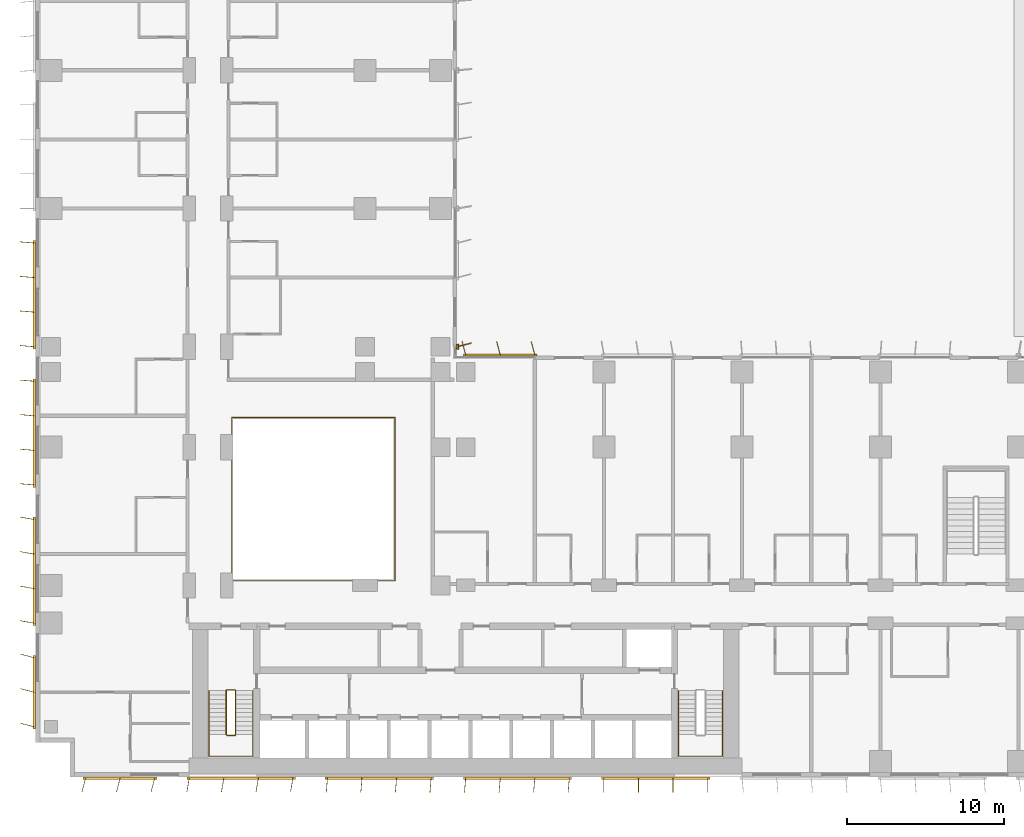
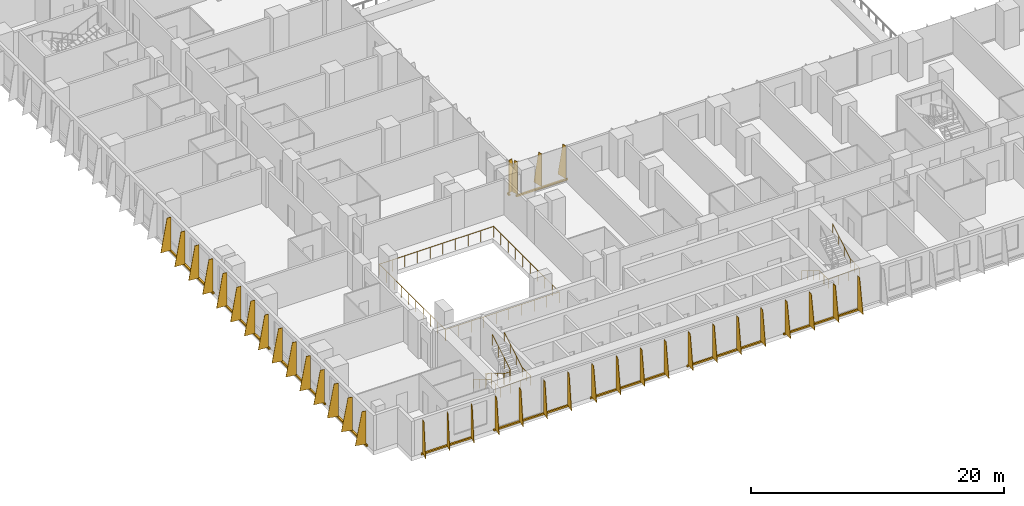
# One storey, part 19 of 23: 11 shading devices, 4 railings.
"""IFC4 building model written with IfcOpenShell, lengths in metres."""

from ifc_helpers import new_model, si_unit, direction, frame, origin, origin_2d, place, context, subcontext, project, spatial, polyline, rectangle, circle, outline, extrude, source, transform, mapped, material, layer, layer_set, type_object, element, save


model = new_model("IFC4")

# Units and contexts
model_context = context("Model", 3, precision=1e-05, world=origin(), true_north=direction((0.0, 1.0)))
body_context = subcontext(model_context, "Body", "Model", "MODEL_VIEW")
ifc_project = project(units=[si_unit("LENGTHUNIT", "METRE"), si_unit("AREAUNIT", "SQUARE_METRE"), si_unit("VOLUMEUNIT", "CUBIC_METRE"), si_unit("PLANEANGLEUNIT", "RADIAN"), si_unit("MASSUNIT", "GRAM", prefix="KILO")], contexts=[model_context])

# Site, building, storey
site_placement = place(None, origin())
site = spatial("IfcSite", under=ifc_project, at=site_placement, CompositionType="ELEMENT")
building_placement = place(site_placement, origin())
building = spatial("IfcBuilding", under=site, at=building_placement, Name="Kemantara Hotel Tower", CompositionType="ELEMENT")
storey_placement = place(building_placement, frame((0.0, 0.0, 34.0)))
storey = spatial("IfcBuildingStorey", under=building, at=storey_placement, Name="L06", CompositionType="ELEMENT", Elevation=34.0)

# Railings
ifc_material_1 = material(Name="Stainless steel and laminated glass balustrade", Category="steel")
railing_type_1 = type_object("IfcRailingType", Name="ATRIUM GUARD 1100", PredefinedType="GUARDRAIL", material=ifc_material_1)
railing_1_placement = place(storey_placement, frame((12.56005859375, 12.5, 0.0)))
element("IfcRailing", 1, at=railing_1_placement, inside=storey, type_object=railing_type_1, Name="ATRIUM GUARD L06", PredefinedType="GUARDRAIL", context=body_context, shape_type="SweptSolid", body=[
    extrude(circle(Radius=0.02490234375, at=origin_2d()), frame((0.0, 0.0, 1.0751953125), z_axis=(1.0, 0.0, 0.0), x_axis=(0.0, 1.0, 0.0)), (0.0, 0.0, 1.0), 10.33984375),
    extrude(circle(Radius=0.02490234375, at=origin_2d()), frame((10.33984375, 0.0, 1.0751953125), z_axis=(0.0, 1.0, 0.0), x_axis=(-1.0, 0.0, 0.0)), (0.0, 0.0, 1.0), 10.39990234375),
    extrude(circle(Radius=0.02490234375, at=origin_2d()), frame((10.33984375, 10.39990234375, 1.0751953125), z_axis=(-1.0, 0.0, 0.0), x_axis=(0.0, -1.0, 0.0)), (0.0, 0.0, 1.0), 10.39990234375),
    extrude(circle(Radius=0.02490234375, at=origin_2d()), frame((-0.06005859375, 10.39990234375, 1.0751953125), z_axis=(0.0, -1.0, 0.0), x_axis=(1.0, 0.0, 0.0)), (0.0, 0.0, 1.0), 10.39990234375),
    extrude(circle(Radius=0.02001953125, at=origin_2d()), origin(), (0.0, 0.0, 1.0), 1.050048828125),
    extrude(circle(Radius=0.02001953125, at=origin_2d()), frame((1.14892578125, 0.0, 0.0)), (0.0, 0.0, 1.0), 1.050048828125),
    extrude(circle(Radius=0.02001953125, at=origin_2d()), frame((2.2978515625, 0.0, 0.0)), (0.0, 0.0, 1.0), 1.050048828125),
    extrude(circle(Radius=0.02001953125, at=origin_2d()), frame((3.446533203125, 0.0, 0.0)), (0.0, 0.0, 1.0), 1.050048828125),
    extrude(circle(Radius=0.02001953125, at=origin_2d()), frame((4.595458984375, 0.0, 0.0)), (0.0, 0.0, 1.0), 1.050048828125),
    extrude(circle(Radius=0.02001953125, at=origin_2d()), frame((5.744384765625, 0.0, 0.0)), (0.0, 0.0, 1.0), 1.050048828125),
    extrude(circle(Radius=0.02001953125, at=origin_2d()), frame((6.893310546875, 0.0, 0.0)), (0.0, 0.0, 1.0), 1.050048828125),
    extrude(circle(Radius=0.02001953125, at=origin_2d()), frame((8.0419921875, 0.0, 0.0)), (0.0, 0.0, 1.0), 1.050048828125),
    extrude(circle(Radius=0.02001953125, at=origin_2d()), frame((9.19091796875, 0.0, 0.0)), (0.0, 0.0, 1.0), 1.050048828125),
    extrude(circle(Radius=0.02001953125, at=origin_2d()), frame((10.33984375, 0.0, 0.0)), (0.0, 0.0, 1.0), 1.050048828125),
    extrude(circle(Radius=0.02001953125, at=origin_2d()), frame((10.33984375, 1.155517578125, 0.0)), (0.0, 0.0, 1.0), 1.050048828125),
    extrude(circle(Radius=0.02001953125, at=origin_2d()), frame((10.33984375, 2.31103515625, 0.0)), (0.0, 0.0, 1.0), 1.050048828125),
    extrude(circle(Radius=0.02001953125, at=origin_2d()), frame((10.33984375, 3.466552734375, 0.0)), (0.0, 0.0, 1.0), 1.050048828125),
    extrude(circle(Radius=0.02001953125, at=origin_2d()), frame((10.33984375, 4.6220703125, 0.0)), (0.0, 0.0, 1.0), 1.050048828125),
    extrude(circle(Radius=0.02001953125, at=origin_2d()), frame((10.33984375, 5.77783203125, 0.0)), (0.0, 0.0, 1.0), 1.050048828125),
    extrude(circle(Radius=0.02001953125, at=origin_2d()), frame((10.33984375, 6.933349609375, 0.0)), (0.0, 0.0, 1.0), 1.050048828125),
    extrude(circle(Radius=0.02001953125, at=origin_2d()), frame((10.33984375, 8.0888671875, 0.0)), (0.0, 0.0, 1.0), 1.050048828125),
    extrude(circle(Radius=0.02001953125, at=origin_2d()), frame((10.33984375, 9.244384765625, 0.0)), (0.0, 0.0, 1.0), 1.050048828125),
    extrude(circle(Radius=0.02001953125, at=origin_2d()), frame((10.33984375, 10.39990234375, 0.0)), (0.0, 0.0, 1.0), 1.050048828125),
    extrude(circle(Radius=0.02001953125, at=origin_2d()), frame((9.184326171875, 10.39990234375, 0.0)), (0.0, 0.0, 1.0), 1.050048828125),
    extrude(circle(Radius=0.02001953125, at=origin_2d()), frame((8.02880859375, 10.39990234375, 0.0)), (0.0, 0.0, 1.0), 1.050048828125),
    extrude(circle(Radius=0.02001953125, at=origin_2d()), frame((6.873291015625, 10.39990234375, 0.0)), (0.0, 0.0, 1.0), 1.050048828125),
    extrude(circle(Radius=0.02001953125, at=origin_2d()), frame((5.7177734375, 10.39990234375, 0.0)), (0.0, 0.0, 1.0), 1.050048828125),
    extrude(circle(Radius=0.02001953125, at=origin_2d()), frame((4.56201171875, 10.39990234375, 0.0)), (0.0, 0.0, 1.0), 1.050048828125),
    extrude(circle(Radius=0.02001953125, at=origin_2d()), frame((3.406494140625, 10.39990234375, 0.0)), (0.0, 0.0, 1.0), 1.050048828125),
    extrude(circle(Radius=0.02001953125, at=origin_2d()), frame((2.2509765625, 10.39990234375, 0.0)), (0.0, 0.0, 1.0), 1.050048828125),
    extrude(circle(Radius=0.02001953125, at=origin_2d()), frame((1.095458984375, 10.39990234375, 0.0)), (0.0, 0.0, 1.0), 1.050048828125),
    extrude(circle(Radius=0.02001953125, at=origin_2d()), frame((-0.06005859375, 10.39990234375, 0.0)), (0.0, 0.0, 1.0), 1.050048828125),
    extrude(circle(Radius=0.02001953125, at=origin_2d()), frame((-0.06005859375, 9.244384765625, 0.0)), (0.0, 0.0, 1.0), 1.050048828125),
    extrude(circle(Radius=0.02001953125, at=origin_2d()), frame((-0.06005859375, 8.0888671875, 0.0)), (0.0, 0.0, 1.0), 1.050048828125),
    extrude(circle(Radius=0.02001953125, at=origin_2d()), frame((-0.06005859375, 6.933349609375, 0.0)), (0.0, 0.0, 1.0), 1.050048828125),
    extrude(circle(Radius=0.02001953125, at=origin_2d()), frame((-0.06005859375, 5.77783203125, 0.0)), (0.0, 0.0, 1.0), 1.050048828125),
    extrude(circle(Radius=0.02001953125, at=origin_2d()), frame((-0.06005859375, 4.6220703125, 0.0)), (0.0, 0.0, 1.0), 1.050048828125),
    extrude(circle(Radius=0.02001953125, at=origin_2d()), frame((-0.06005859375, 3.466552734375, 0.0)), (0.0, 0.0, 1.0), 1.050048828125),
    extrude(circle(Radius=0.02001953125, at=origin_2d()), frame((-0.06005859375, 2.31103515625, 0.0)), (0.0, 0.0, 1.0), 1.050048828125),
    extrude(circle(Radius=0.02001953125, at=origin_2d()), frame((-0.06005859375, 1.155517578125, 0.0)), (0.0, 0.0, 1.0), 1.050048828125),
    extrude(circle(Radius=0.02001953125, at=origin_2d()), frame((-0.06005859375, 0.0, 0.0)), (0.0, 0.0, 1.0), 1.050048828125),
])
ifc_material_2 = material(Name="Stainless steel balustrade", Category="steel")
railing_type_2 = type_object("IfcRailingType", Name="Stair guard 1100 mm", PredefinedType="GUARDRAIL", material=ifc_material_2)
railing_2_placement = place(storey_placement, frame((12.75, 5.5, 3.699951171875)))
element("IfcRailing", 2, at=railing_2_placement, inside=storey, type_object=railing_type_2, Name="L06 ST1 stair guard 1", PredefinedType="GUARDRAIL", context=body_context, shape_type="SweptSolid", body=[
    extrude(circle(Radius=0.02392578125, at=origin_2d()), frame((0.0, 0.0, 1.076171875), z_axis=(0.0, -0.857242210791, -0.514913383045), x_axis=(1.0, 0.0, 0.0)), (0.0, 0.0, 1.0), 3.266357421875),
    extrude(circle(Radius=0.02392578125, at=origin_2d()), frame((0.0, -2.800048828125, -0.60595703125), z_axis=(-0.274582412415, -0.274582412415, -0.921525364591), x_axis=(0.707106781187, -0.707106781187, 0.0)), (0.0, 0.0, 1.0), 0.182373046875),
    extrude(circle(Radius=0.02392578125, at=origin_2d()), frame((-0.050048828125, -2.85009765625, -0.77392578125), z_axis=(-1.0, 0.0, 0.0), x_axis=(0.0, -1.0, 0.0)), (0.0, 0.0, 1.0), 0.5),
    extrude(circle(Radius=0.02392578125, at=origin_2d()), frame((-0.550048828125, -2.85009765625, -0.77392578125), z_axis=(-0.707106781187, 0.707106781187, 0.0), x_axis=(-0.707106781187, -0.707106781187, 0.0)), (0.0, 0.0, 1.0), 0.07080078125),
    extrude(circle(Radius=0.02392578125, at=origin_2d()), frame((-0.60009765625, -2.800048828125, -0.77392578125), z_axis=(0.0, 0.857242210791, -0.514913383045), x_axis=(-1.0, 0.0, 0.0)), (0.0, 0.0, 1.0), 3.266357421875),
    extrude(circle(Radius=0.02392578125, at=origin_2d()), frame((-0.60009765625, 0.0, -2.45556640625), z_axis=(0.274243871929, 0.274243871929, -0.92172696468), x_axis=(-0.707106781187, 0.707106781187, 0.0)), (0.0, 0.0, 1.0), 0.1826171875),
    extrude(circle(Radius=0.02392578125, at=origin_2d()), frame((-0.550048828125, 0.050048828125, -2.6240234375), z_axis=(1.0, 0.0, 0.0), x_axis=(0.0, 1.0, 0.0)), (0.0, 0.0, 1.0), 0.5),
    extrude(circle(Radius=0.02099609375, at=origin_2d()), origin(), (0.0, 0.0, 1.0), 1.052001953125),
    extrude(circle(Radius=0.02099609375, at=origin_2d()), frame((0.0, -0.933349609375, -0.560546875)), (0.0, 0.0, 1.0), 1.052001953125),
    extrude(circle(Radius=0.02099609375, at=origin_2d()), frame((0.0, -1.86669921875, -1.121337890625)), (0.0, 0.0, 1.0), 1.052001953125),
    extrude(circle(Radius=0.02099609375, at=origin_2d()), frame((0.0, -2.800048828125, -1.681884765625)), (0.0, 0.0, 1.0), 1.052001953125),
    extrude(circle(Radius=0.02099609375, at=origin_2d()), frame((-0.050048828125, -2.85009765625, -1.849853515625)), (0.0, 0.0, 1.0), 1.052001953125),
    extrude(circle(Radius=0.02099609375, at=origin_2d()), frame((-0.550048828125, -2.85009765625, -1.849853515625)), (0.0, 0.0, 1.0), 1.052001953125),
    extrude(circle(Radius=0.02099609375, at=origin_2d()), frame((-0.60009765625, -2.800048828125, -1.849853515625)), (0.0, 0.0, 1.0), 1.052001953125),
    extrude(circle(Radius=0.02099609375, at=origin_2d()), frame((-0.60009765625, -1.86669921875, -2.410400390625)), (0.0, 0.0, 1.0), 1.052001953125),
    extrude(circle(Radius=0.02099609375, at=origin_2d()), frame((-0.60009765625, -0.933349609375, -2.97119140625)), (0.0, 0.0, 1.0), 1.052001953125),
    extrude(circle(Radius=0.02099609375, at=origin_2d()), frame((-0.60009765625, 0.0, -3.53173828125)), (0.0, 0.0, 1.0), 1.052001953125),
    extrude(circle(Radius=0.02099609375, at=origin_2d()), frame((-0.550048828125, 0.050048828125, -3.699951171875)), (0.0, 0.0, 1.0), 1.052001953125),
    extrude(circle(Radius=0.02099609375, at=origin_2d()), frame((-0.050048828125, 0.050048828125, -3.699951171875)), (0.0, 0.0, 1.0), 1.052001953125),
])
railing_type_3 = type_object("IfcRailingType", Name="Stair handrail 900 mm", PredefinedType="HANDRAIL", material=ifc_material_2)
railing_3_placement = place(storey_placement, frame((11.050048828125, 5.5, 0.168212890625)))
element("IfcRailing", 3, at=railing_3_placement, inside=storey, type_object=railing_type_3, Name="L06 ST1 stair handrail 1", PredefinedType="HANDRAIL", context=body_context, shape_type="SweptSolid", body=[
    extrude(circle(Radius=0.02392578125, at=origin_2d()), frame((0.0, 0.0, 0.8759765625), z_axis=(0.0, -0.857242210791, 0.514913383045), x_axis=(1.0, 0.0, 0.0)), (0.0, 0.0, 1.0), 3.266357421875),
    extrude(circle(Radius=0.02392578125, at=origin_2d()), frame((0.0, -2.800048828125, 2.5576171875), z_axis=(0.0, -1.0, 0.0), x_axis=(1.0, 0.0, 0.0)), (0.0, 0.0, 1.0), 1.3798828125),
    extrude(circle(Radius=0.02392578125, at=origin_2d()), frame((0.0, -4.179931640625, 2.5576171875), z_axis=(0.998205573864, 0.0, 0.059880149518), x_axis=(0.0, 1.0, 0.0)), (0.0, 0.0, 1.0), 2.80517578125),
    extrude(circle(Radius=0.02392578125, at=origin_2d()), frame((2.800048828125, -4.179931640625, 2.7255859375), z_axis=(0.0, 1.0, 0.0), x_axis=(-1.0, 0.0, 0.0)), (0.0, 0.0, 1.0), 1.3798828125),
    extrude(circle(Radius=0.02392578125, at=origin_2d()), frame((2.800048828125, -2.800048828125, 2.7255859375), z_axis=(0.0, 0.857242210791, 0.514913383045), x_axis=(-1.0, 0.0, 0.0)), (0.0, 0.0, 1.0), 3.266357421875),
    extrude(circle(Radius=0.02099609375, at=origin_2d()), origin(), (0.0, 0.0, 1.0), 0.851806640625),
    extrude(circle(Radius=0.02099609375, at=origin_2d()), frame((0.0, -0.933349609375, 0.560546875)), (0.0, 0.0, 1.0), 0.851806640625),
    extrude(circle(Radius=0.02099609375, at=origin_2d()), frame((0.0, -1.86669921875, 1.121337890625)), (0.0, 0.0, 1.0), 0.851806640625),
    extrude(circle(Radius=0.02099609375, at=origin_2d()), frame((0.0, -2.800048828125, 1.681884765625)), (0.0, 0.0, 1.0), 0.851806640625),
    extrude(circle(Radius=0.02099609375, at=origin_2d()), frame((0.0, -3.489990234375, 1.681884765625)), (0.0, 0.0, 1.0), 0.851806640625),
    extrude(circle(Radius=0.02099609375, at=origin_2d()), frame((0.0, -4.179931640625, 1.681884765625)), (0.0, 0.0, 1.0), 0.851806640625),
    extrude(circle(Radius=0.02099609375, at=origin_2d()), frame((0.933349609375, -4.179931640625, 1.73779296875)), (0.0, 0.0, 1.0), 0.851806640625),
    extrude(circle(Radius=0.02099609375, at=origin_2d()), frame((1.86669921875, -4.179931640625, 1.7939453125)), (0.0, 0.0, 1.0), 0.851806640625),
    extrude(circle(Radius=0.02099609375, at=origin_2d()), frame((2.800048828125, -4.179931640625, 1.849853515625)), (0.0, 0.0, 1.0), 0.851806640625),
    extrude(circle(Radius=0.02099609375, at=origin_2d()), frame((2.800048828125, -3.489990234375, 1.849853515625)), (0.0, 0.0, 1.0), 0.851806640625),
    extrude(circle(Radius=0.02099609375, at=origin_2d()), frame((2.800048828125, -2.800048828125, 1.849853515625)), (0.0, 0.0, 1.0), 0.851806640625),
    extrude(circle(Radius=0.02099609375, at=origin_2d()), frame((2.800048828125, -1.86669921875, 2.410400390625)), (0.0, 0.0, 1.0), 0.851806640625),
    extrude(circle(Radius=0.02099609375, at=origin_2d()), frame((2.800048828125, -0.933349609375, 2.97119140625)), (0.0, 0.0, 1.0), 0.851806640625),
    extrude(circle(Radius=0.02099609375, at=origin_2d()), frame((2.800048828125, 0.0, 3.53173828125)), (0.0, 0.0, 1.0), 0.851806640625),
])
railing_4_placement = place(storey_placement, frame((40.949951171875, 5.5, 0.168212890625)))
element("IfcRailing", 4, at=railing_4_placement, inside=storey, type_object=railing_type_3, Name="L06 ST2 stair handrail 1", PredefinedType="HANDRAIL", context=body_context, shape_type="SweptSolid", body=[
    extrude(circle(Radius=0.02392578125, at=origin_2d()), frame((0.0, 0.0, 0.8759765625), z_axis=(0.0, -0.857242210791, 0.514913383045), x_axis=(1.0, 0.0, 0.0)), (0.0, 0.0, 1.0), 3.266357421875),
    extrude(circle(Radius=0.02392578125, at=origin_2d()), frame((0.0, -2.800048828125, 2.5576171875), z_axis=(0.0, -1.0, 0.0), x_axis=(1.0, 0.0, 0.0)), (0.0, 0.0, 1.0), 1.3798828125),
    extrude(circle(Radius=0.02392578125, at=origin_2d()), frame((0.0, -4.179931640625, 2.5576171875), z_axis=(0.998205573864, 0.0, 0.059880149518), x_axis=(0.0, 1.0, 0.0)), (0.0, 0.0, 1.0), 2.80517578125),
    extrude(circle(Radius=0.02392578125, at=origin_2d()), frame((2.800048828125, -4.179931640625, 2.7255859375), z_axis=(0.0, 1.0, 0.0), x_axis=(-1.0, 0.0, 0.0)), (0.0, 0.0, 1.0), 1.3798828125),
    extrude(circle(Radius=0.02392578125, at=origin_2d()), frame((2.800048828125, -2.800048828125, 2.7255859375), z_axis=(0.0, 0.857242210791, 0.514913383045), x_axis=(-1.0, 0.0, 0.0)), (0.0, 0.0, 1.0), 3.266357421875),
    extrude(circle(Radius=0.02099609375, at=origin_2d()), origin(), (0.0, 0.0, 1.0), 0.851806640625),
    extrude(circle(Radius=0.02099609375, at=origin_2d()), frame((0.0, -0.933349609375, 0.560546875)), (0.0, 0.0, 1.0), 0.851806640625),
    extrude(circle(Radius=0.02099609375, at=origin_2d()), frame((0.0, -1.86669921875, 1.121337890625)), (0.0, 0.0, 1.0), 0.851806640625),
    extrude(circle(Radius=0.02099609375, at=origin_2d()), frame((0.0, -2.800048828125, 1.681884765625)), (0.0, 0.0, 1.0), 0.851806640625),
    extrude(circle(Radius=0.02099609375, at=origin_2d()), frame((0.0, -3.489990234375, 1.681884765625)), (0.0, 0.0, 1.0), 0.851806640625),
    extrude(circle(Radius=0.02099609375, at=origin_2d()), frame((0.0, -4.179931640625, 1.681884765625)), (0.0, 0.0, 1.0), 0.851806640625),
    extrude(circle(Radius=0.02099609375, at=origin_2d()), frame((0.933349609375, -4.179931640625, 1.73779296875)), (0.0, 0.0, 1.0), 0.851806640625),
    extrude(circle(Radius=0.02099609375, at=origin_2d()), frame((1.86669921875, -4.179931640625, 1.7939453125)), (0.0, 0.0, 1.0), 0.851806640625),
    extrude(circle(Radius=0.02099609375, at=origin_2d()), frame((2.800048828125, -4.179931640625, 1.849853515625)), (0.0, 0.0, 1.0), 0.851806640625),
    extrude(circle(Radius=0.02099609375, at=origin_2d()), frame((2.800048828125, -3.489990234375, 1.849853515625)), (0.0, 0.0, 1.0), 0.851806640625),
    extrude(circle(Radius=0.02099609375, at=origin_2d()), frame((2.800048828125, -2.800048828125, 1.849853515625)), (0.0, 0.0, 1.0), 0.851806640625),
    extrude(circle(Radius=0.02099609375, at=origin_2d()), frame((2.800048828125, -1.86669921875, 2.410400390625)), (0.0, 0.0, 1.0), 0.851806640625),
    extrude(circle(Radius=0.02099609375, at=origin_2d()), frame((2.800048828125, -0.933349609375, 2.97119140625)), (0.0, 0.0, 1.0), 0.851806640625),
    extrude(circle(Radius=0.02099609375, at=origin_2d()), frame((2.800048828125, 0.0, 3.53173828125)), (0.0, 0.0, 1.0), 0.851806640625),
])

# Shading devices
ifc_material_3 = material(Name="Perforated aluminium plate 4 mm bronze anodised", Category="aluminium")
ifc_layer_1 = layer(ifc_material_3, 0.0400390625)
ifc_layer_set_1 = layer_set([ifc_layer_1], Name="Perforated aluminium plate 4 mm bronze anodised")
shading_device_type_1 = type_object("IfcShadingDeviceType", Name="SCREEN FIN CASSETTE, 3 BLADES AT -15.0 DEG, 3200 HIGH", PredefinedType="USERDEFINED", material=ifc_layer_set_1)
shared_shape_1 = source(origin(), body_context, "Body", "SweptSolid", [
    extrude(rectangle(XDim=4.699951171875, YDim=0.14990234375, at=origin_2d()), frame((2.199951171875, -0.074951171875, -0.14990234375), z_axis=(0.0, 0.0, 1.0), x_axis=(1.0, 0.0, 0.0)), (0.0, 0.0, 1.0), 0.14990234375),
    extrude(outline(polyline([(0.0, 0.0), (0.89990234375, 0.0), (0.35009765625, 3.199951171875), (0.0, 3.199951171875), (0.0, 0.0)])), frame((0.019287109375, -0.080078125, 0.0), z_axis=(-0.966437683387, 0.256901156343, 0.0), x_axis=(-0.256901156343, -0.966437683387, 0.0)), (0.0, 0.0, 1.0), 0.039794921875),
    extrude(outline(polyline([(0.0, 0.0), (0.89990234375, 0.0), (0.35009765625, 3.199951171875), (0.0, 3.199951171875), (0.0, 0.0)])), frame((2.21923828125, -0.080078125, 0.0), z_axis=(-0.966437683387, 0.256901156343, 0.0), x_axis=(-0.256901156343, -0.966437683387, 0.0)), (0.0, 0.0, 1.0), 0.039794921875),
    extrude(outline(polyline([(0.0, 0.0), (0.89990234375, 0.0), (0.35009765625, 3.199951171875), (0.0, 3.199951171875), (0.0, 0.0)])), frame((4.41943359375, -0.080078125, 0.0), z_axis=(-0.966837822169, 0.255391122837, 0.0), x_axis=(-0.255391122837, -0.966837822169, 0.0)), (0.0, 0.0, 1.0), 0.0400390625),
])
for number, where, z_axis, x_axis, name in (
    (5, (3.199951171875, 0.0, 0.10009765625), (0.0, 0.0, 1.0), (1.0, 0.0, 0.0), "SCREEN FIN CASSETTE L06 T1-R01-1"),
    (6, (0.0, 7.60009765625, 0.10009765625), (0.0, 0.0, 1.0), (0.0, -1.0, 0.0), "SCREEN FIN CASSETTE L06 T1-R14-9"),
):
    element("IfcShadingDevice", number, at=place(storey_placement, frame(where, z_axis=z_axis, x_axis=x_axis)), inside=storey, type_object=shading_device_type_1, Name=name, ObjectType="SCREEN FIN", PredefinedType="USERDEFINED", context=body_context, shape_type="MappedRepresentation", body=[
        mapped(shared_shape_1, transform((0.0, 0.0, 0.0))),
    ])
ifc_layer_2 = layer(ifc_material_3, 0.0400390625)
ifc_layer_set_2 = layer_set([ifc_layer_2], Name="Perforated aluminium plate 4 mm bronze anodised")
shading_device_type_2 = type_object("IfcShadingDeviceType", Name="SCREEN FIN CASSETTE, 4 BLADES AT -10.0 DEG, 3200 HIGH", PredefinedType="USERDEFINED", material=ifc_layer_set_2)
shared_shape_2 = source(origin(), body_context, "Body", "SweptSolid", [
    extrude(rectangle(XDim=6.89990234375, YDim=0.14990234375, at=origin_2d()), frame((3.300048828125, -0.074951171875, -0.14990234375), z_axis=(0.0, 0.0, 1.0), x_axis=(1.0, 0.0, 0.0)), (0.0, 0.0, 1.0), 0.14990234375),
    extrude(outline(polyline([(0.0, 0.0), (0.89990234375, 0.0), (0.35009765625, 3.199951171875), (0.0, 3.199951171875), (0.0, 0.0)])), frame((0.019775390625, -0.078369140625, 0.0), z_axis=(-0.985389793052, 0.170314285219, 0.0), x_axis=(-0.170314285219, -0.985389793052, 0.0)), (0.0, 0.0, 1.0), 0.0400390625),
    extrude(outline(polyline([(0.0, 0.0), (0.89990234375, 0.0), (0.35009765625, 3.199951171875), (0.0, 3.199951171875), (0.0, 0.0)])), frame((2.2197265625, -0.078369140625, 0.0), z_axis=(-0.98521175482, 0.171341174751, 0.0), x_axis=(-0.171341174751, -0.98521175482, 0.0)), (0.0, 0.0, 1.0), 0.039794921875),
    extrude(outline(polyline([(0.0, 0.0), (0.89990234375, 0.0), (0.35009765625, 3.199951171875), (0.0, 3.199951171875), (0.0, 0.0)])), frame((4.419677734375, -0.078369140625, 0.0), z_axis=(-0.98521175482, 0.171341174751, 0.0), x_axis=(-0.171341174751, -0.98521175482, 0.0)), (0.0, 0.0, 1.0), 0.039794921875),
    extrude(outline(polyline([(0.0, 0.0), (0.89990234375, 0.0), (0.35009765625, 3.199951171875), (0.0, 3.199951171875), (0.0, 0.0)])), frame((6.61962890625, -0.078369140625, 0.0), z_axis=(-0.98521175482, 0.171341174751, 0.0), x_axis=(-0.171341174751, -0.98521175482, 0.0)), (0.0, 0.0, 1.0), 0.039794921875),
])
for number, where, z_axis, x_axis, name in (
    (7, (9.800048828125, 0.0, 0.10009765625), (0.0, 0.0, 1.0), (1.0, 0.0, 0.0), "SCREEN FIN CASSETTE L06 T1-R01-2"),
    (8, (0.0, 16.39990234375, 0.10009765625), (0.0, 0.0, 1.0), (0.0, -1.0, 0.0), "SCREEN FIN CASSETTE L06 T1-R14-8"),
):
    element("IfcShadingDevice", number, at=place(storey_placement, frame(where, z_axis=z_axis, x_axis=x_axis)), inside=storey, type_object=shading_device_type_2, Name=name, ObjectType="SCREEN FIN", PredefinedType="USERDEFINED", context=body_context, shape_type="MappedRepresentation", body=[
        mapped(shared_shape_2, transform((0.0, 0.0, 0.0))),
    ])
ifc_layer_3 = layer(ifc_material_3, 0.0400390625)
ifc_layer_set_3 = layer_set([ifc_layer_3], Name="Perforated aluminium plate 4 mm bronze anodised")
shading_device_type_3 = type_object("IfcShadingDeviceType", Name="SCREEN FIN CASSETTE, 4 BLADES AT -5.0 DEG, 3200 HIGH", PredefinedType="USERDEFINED", material=ifc_layer_set_3)
shared_shape_3 = source(origin(), body_context, "Body", "SweptSolid", [
    extrude(rectangle(XDim=6.89990234375, YDim=0.14990234375, at=origin_2d()), frame((3.300048828125, -0.074951171875, -0.14990234375), z_axis=(0.0, 0.0, 1.0), x_axis=(1.0, 0.0, 0.0)), (0.0, 0.0, 1.0), 0.14990234375),
    extrude(outline(polyline([(0.0, 0.0), (0.89990234375, 0.0), (0.35009765625, 3.199951171875), (0.0, 3.199951171875), (0.0, 0.0)])), frame((0.02001953125, -0.07666015625, 0.0), z_axis=(-0.996376129781, 0.085056498884, 0.0), x_axis=(-0.085056498884, -0.996376129781, 0.0)), (0.0, 0.0, 1.0), 0.040283203125),
    extrude(outline(polyline([(0.0, 0.0), (0.89990234375, 0.0), (0.35009765625, 3.199951171875), (0.0, 3.199951171875), (0.0, 0.0)])), frame((2.219970703125, -0.07666015625, 0.0), z_axis=(-0.996331773833, 0.085574508182, 0.0), x_axis=(-0.085574508182, -0.996331773833, 0.0)), (0.0, 0.0, 1.0), 0.0400390625),
    extrude(outline(polyline([(0.0, 0.0), (0.89990234375, 0.0), (0.35009765625, 3.199951171875), (0.0, 3.199951171875), (0.0, 0.0)])), frame((4.419921875, -0.07666015625, 0.0), z_axis=(-0.996331773833, 0.085574508182, 0.0), x_axis=(-0.085574508182, -0.996331773833, 0.0)), (0.0, 0.0, 1.0), 0.0400390625),
    extrude(outline(polyline([(0.0, 0.0), (0.89990234375, 0.0), (0.35009765625, 3.199951171875), (0.0, 3.199951171875), (0.0, 0.0)])), frame((6.619873046875, -0.07666015625, 0.0), z_axis=(-0.996331773833, 0.085574508182, 0.0), x_axis=(-0.085574508182, -0.996331773833, 0.0)), (0.0, 0.0, 1.0), 0.0400390625),
])
for number, where, z_axis, x_axis, name in (
    (9, (18.60009765625, 0.0, 0.10009765625), (0.0, 0.0, 1.0), (1.0, 0.0, 0.0), "SCREEN FIN CASSETTE L06 T1-R01-3"),
    (10, (27.39990234375, 0.0, 0.10009765625), (0.0, 0.0, 1.0), (1.0, 0.0, 0.0), "SCREEN FIN CASSETTE L06 T1-R01-4"),
    (11, (0.0, 34.0, 0.10009765625), (0.0, 0.0, 1.0), (0.0, -1.0, 0.0), "SCREEN FIN CASSETTE L06 T1-R14-6"),
    (12, (0.0, 25.199951171875, 0.10009765625), (0.0, 0.0, 1.0), (0.0, -1.0, 0.0), "SCREEN FIN CASSETTE L06 T1-R14-7"),
):
    element("IfcShadingDevice", number, at=place(storey_placement, frame(where, z_axis=z_axis, x_axis=x_axis)), inside=storey, type_object=shading_device_type_3, Name=name, ObjectType="SCREEN FIN", PredefinedType="USERDEFINED", context=body_context, shape_type="MappedRepresentation", body=[
        mapped(shared_shape_3, transform((0.0, 0.0, 0.0))),
    ])
ifc_layer_4 = layer(ifc_material_3, 0.0400390625)
ifc_layer_set_4 = layer_set([ifc_layer_4], Name="Perforated aluminium plate 4 mm bronze anodised")
shading_device_type_4 = type_object("IfcShadingDeviceType", Name="SCREEN FIN CASSETTE, 4 BLADES AT +0.0 DEG, 3200 HIGH", PredefinedType="USERDEFINED", material=ifc_layer_set_4)
shared_shape_4 = source(origin(), body_context, "Body", "SweptSolid", [
    extrude(rectangle(XDim=6.89990234375, YDim=0.14990234375, at=origin_2d()), frame((3.300048828125, -0.074951171875, -0.14990234375), z_axis=(0.0, 0.0, 1.0), x_axis=(1.0, 0.0, 0.0)), (0.0, 0.0, 1.0), 0.14990234375),
    extrude(outline(polyline([(0.0, 0.0), (0.89990234375, 0.0), (0.35009765625, 3.199951171875), (0.0, 3.199951171875), (0.0, 0.0)])), frame((0.02001953125, -0.074951171875, 0.0), z_axis=(-1.0, 0.0, 0.0), x_axis=(0.0, -1.0, 0.0)), (0.0, 0.0, 1.0), 0.0400390625),
    extrude(outline(polyline([(0.0, 0.0), (0.89990234375, 0.0), (0.35009765625, 3.199951171875), (0.0, 3.199951171875), (0.0, 0.0)])), frame((2.219970703125, -0.074951171875, 0.0), z_axis=(-1.0, 0.0, 0.0), x_axis=(0.0, -1.0, 0.0)), (0.0, 0.0, 1.0), 0.0400390625),
    extrude(outline(polyline([(0.0, 0.0), (0.89990234375, 0.0), (0.35009765625, 3.199951171875), (0.0, 3.199951171875), (0.0, 0.0)])), frame((4.419921875, -0.074951171875, 0.0), z_axis=(-1.0, 0.0, 0.0), x_axis=(0.0, -1.0, 0.0)), (0.0, 0.0, 1.0), 0.0400390625),
    extrude(outline(polyline([(0.0, 0.0), (0.89990234375, 0.0), (0.35009765625, 3.199951171875), (0.0, 3.199951171875), (0.0, 0.0)])), frame((6.6201171875, -0.074951171875, 0.0), z_axis=(-1.0, 0.0, 0.0), x_axis=(0.0, -1.0, 0.0)), (0.0, 0.0, 1.0), 0.0400390625),
])
shading_device_1_placement = place(storey_placement, frame((36.199951171875, 0.0, 0.10009765625), z_axis=(0.0, 0.0, 1.0), x_axis=(1.0, 0.0, 0.0)))
element("IfcShadingDevice", 13, at=shading_device_1_placement, inside=storey, type_object=shading_device_type_4, Name="SCREEN FIN CASSETTE L06 T1-R01-5", ObjectType="SCREEN FIN", PredefinedType="USERDEFINED", context=body_context, shape_type="MappedRepresentation", body=[
    mapped(shared_shape_4, transform((0.0, 0.0, 0.0))),
])
ifc_layer_5 = layer(ifc_material_3, 0.0400390625)
ifc_layer_set_5 = layer_set([ifc_layer_5], Name="Perforated aluminium plate 4 mm bronze anodised")
shading_device_type_5 = type_object("IfcShadingDeviceType", Name="SCREEN FIN CASSETTE, 3 BLADES AT +15.0 DEG, 3150 HIGH", PredefinedType="USERDEFINED", material=ifc_layer_set_5)
shared_shape_5 = source(origin(), body_context, "Body", "SweptSolid", [
    extrude(rectangle(XDim=4.699951171875, YDim=0.14990234375, at=origin_2d()), frame((2.199951171875, -0.074951171875, -0.14990234375), z_axis=(0.0, 0.0, 1.0), x_axis=(1.0, 0.0, 0.0)), (0.0, 0.0, 1.0), 0.14990234375),
    extrude(outline(polyline([(0.0, 0.0), (0.89990234375, 0.0), (0.35009765625, 3.14990234375), (0.0, 3.14990234375), (0.0, 0.0)])), frame((0.019287109375, -0.06982421875, 0.0), z_axis=(-0.966437683387, -0.256901156343, 0.0), x_axis=(0.256901156343, -0.966437683387, 0.0)), (0.0, 0.0, 1.0), 0.039794921875),
    extrude(outline(polyline([(0.0, 0.0), (0.89990234375, 0.0), (0.35009765625, 3.14990234375), (0.0, 3.14990234375), (0.0, 0.0)])), frame((2.21923828125, -0.06982421875, 0.0), z_axis=(-0.966437683387, -0.256901156343, 0.0), x_axis=(0.256901156343, -0.966437683387, 0.0)), (0.0, 0.0, 1.0), 0.039794921875),
    extrude(outline(polyline([(0.0, 0.0), (0.89990234375, 0.0), (0.35009765625, 3.14990234375), (0.0, 3.14990234375), (0.0, 0.0)])), frame((4.41943359375, -0.06982421875, 0.0), z_axis=(-0.966837822169, -0.255391122837, 0.0), x_axis=(0.255391122837, -0.966837822169, 0.0)), (0.0, 0.0, 1.0), 0.0400390625),
])
shading_device_2_placement = place(storey_placement, frame((31.800048828125, 26.800048828125, 0.14990234375), z_axis=(0.0, 0.0, 1.0), x_axis=(-1.0, 0.0, 0.0)))
element("IfcShadingDevice", 14, at=shading_device_2_placement, inside=storey, type_object=shading_device_type_5, Name="SCREEN FIN CASSETTE L06 T1-R07-7", ObjectType="SCREEN FIN", PredefinedType="USERDEFINED", context=body_context, shape_type="MappedRepresentation", body=[
    mapped(shared_shape_5, transform((0.0, 0.0, 0.0))),
])
ifc_layer_6 = layer(ifc_material_3, 0.0400390625)
ifc_layer_set_6 = layer_set([ifc_layer_6], Name="Perforated aluminium plate 4 mm bronze anodised")
shading_device_type_6 = type_object("IfcShadingDeviceType", Name="SCREEN FIN CASSETTE, 1 BLADE AT +15.0 DEG, 3150 HIGH", PredefinedType="USERDEFINED", material=ifc_layer_set_6)
shared_shape_6 = source(origin(), body_context, "Body", "SweptSolid", [
    extrude(rectangle(XDim=0.300048828125, YDim=0.14990234375, at=origin_2d()), frame((0.0, -0.074951171875, -0.14990234375), z_axis=(0.0, 0.0, 1.0), x_axis=(1.0, 0.0, 0.0)), (0.0, 0.0, 1.0), 0.14990234375),
    extrude(outline(polyline([(0.0, 0.0), (0.89990234375, 0.0), (0.35009765625, 3.14990234375), (0.0, 3.14990234375), (0.0, 0.0)])), frame((0.019287109375, -0.06982421875, 0.0), z_axis=(-0.966437683387, -0.256901156343, 0.0), x_axis=(0.256901156343, -0.966437683387, 0.0)), (0.0, 0.0, 1.0), 0.039794921875),
])
shading_device_3_placement = place(storey_placement, frame((26.800048828125, 27.39990234375, 0.14990234375), z_axis=(0.0, 0.0, 1.0), x_axis=(0.0, 1.0, 0.0)))
element("IfcShadingDevice", 15, at=shading_device_3_placement, inside=storey, type_object=shading_device_type_6, Name="SCREEN FIN CASSETTE L06 T1-R08-1", ObjectType="SCREEN FIN", PredefinedType="USERDEFINED", context=body_context, shape_type="MappedRepresentation", body=[
    mapped(shared_shape_6, transform((0.0, 0.0, 0.0))),
])

save(model, "model.ifc")
